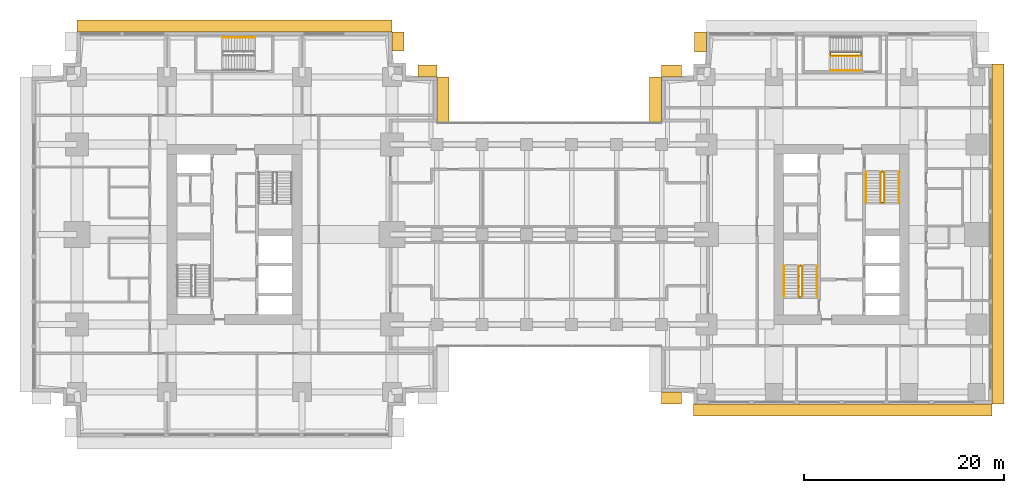
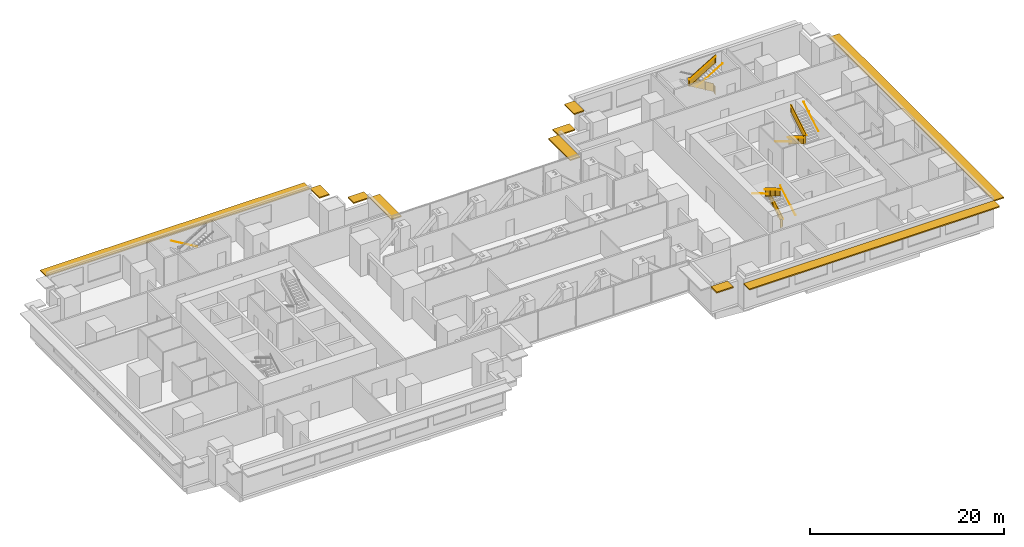
# One storey, part 15 of 16: 14 railings, 10 shading devices.
"""IFC4 building model written with IfcOpenShell, lengths in metres."""

import ifcopenshell
import ifcopenshell.guid

model = None  # the IFC model being written
_history = None  # IfcOwnerHistory: only IFC2X3 demands one
_inside = {}  # id of a spatial element -> (the spatial element, [elements in it])
_under = {}  # id of a project, library or spatial element -> (it, [spatial elements below it])
_declared = {}  # id of a project -> (the project, [libraries it declares])
_typed = {}  # id of a type object -> (the type object, [elements of that type])
_made_of = {}  # id of a material, layer set ... -> (it, [elements and type objects made of it])


def new_model(schema):
    """Start an empty IFC model of exactly this schema.

    Asked for "IFC4X3", IfcOpenShell would pick the latest addendum, in which some entities
    have other attributes; the version numbers below select the first issue.
    IFC2X3 requires an IfcOwnerHistory on every rooted entity: one is made here for all.
    """
    global model, _history
    if schema == "IFC4X3":
        model = ifcopenshell.file(schema_version=(4, 3, 0, 0))
    else:
        model = ifcopenshell.file(schema=schema)
    _inside.clear()
    _under.clear()
    _declared.clear()
    _typed.clear()
    _made_of.clear()
    _history = None
    if model.schema == "IFC2X3":
        org = make("IfcOrganization", Name="unknown")
        user = make(
            "IfcPersonAndOrganization",
            ThePerson=make("IfcPerson", FamilyName="unknown"),
            TheOrganization=org,
        )
        app = make(
            "IfcApplication",
            ApplicationDeveloper=org,
            Version="unknown",
            ApplicationFullName="unknown",
            ApplicationIdentifier="unknown",
        )
        _history = make(
            "IfcOwnerHistory",
            OwningUser=user,
            OwningApplication=app,
            ChangeAction="ADDED",
            CreationDate=0,
        )
    return model


def make(cls, **values):
    """One entity of the class cls with the attributes given. An attribute that is None is left unset."""
    return model.create_entity(
        cls, **{name: value for name, value in values.items() if value is not None}
    )


def rooted(cls, **values):
    """An entity with a GlobalId (a new one), such as an element, a storey or a relation."""
    return make(cls, GlobalId=ifcopenshell.guid.new(), OwnerHistory=_history, **values)


def si_unit(unit_type, name, prefix=None):
    """IfcSIUnit, for example si_unit("LENGTHUNIT", "METRE", prefix="MILLI")."""
    return make("IfcSIUnit", UnitType=unit_type, Prefix=prefix, Name=name)


def assignment(units):
    """IfcUnitAssignment: the units of a project."""
    return None if units is None else make("IfcUnitAssignment", Units=units)


def point(xyz):
    """IfcCartesianPoint."""
    return None if xyz is None else make("IfcCartesianPoint", Coordinates=xyz)


def direction(xyz):
    """IfcDirection."""
    return None if xyz is None else make("IfcDirection", DirectionRatios=xyz)


def frame(location, z_axis=None, x_axis=None):
    """IfcAxis2Placement3D, a coordinate frame: its origin and axes. An axis left out is left unset."""
    return make(
        "IfcAxis2Placement3D",
        Location=point(location),
        Axis=direction(z_axis),
        RefDirection=direction(x_axis),
    )


def frame_2d(location, x_axis=None):
    """IfcAxis2Placement2D, a coordinate frame in the plane: its origin and x axis."""
    return make(
        "IfcAxis2Placement2D", Location=point(location), RefDirection=direction(x_axis)
    )


def origin():
    """The frame at (0, 0, 0) with its axes left unset."""
    return frame((0.0, 0.0, 0.0))


def origin_2d():
    """The frame at (0, 0) in the plane with its x axis left unset."""
    return frame_2d((0.0, 0.0))


def place(relative_to, where):
    """IfcLocalPlacement: puts the frame where relative to a parent placement (None: the world)."""
    return make(
        "IfcLocalPlacement", PlacementRelTo=relative_to, RelativePlacement=where
    )


def context(
    kind, dimensions, precision=None, world=None, true_north=None, identifier=None
):
    """IfcGeometricRepresentationContext, for example the 3D "Model" context."""
    return make(
        "IfcGeometricRepresentationContext",
        ContextIdentifier=identifier,
        ContextType=kind,
        CoordinateSpaceDimension=dimensions,
        Precision=precision,
        WorldCoordinateSystem=world,
        TrueNorth=true_north,
    )


def subcontext(parent, identifier, kind, view, scale=None):
    """IfcGeometricRepresentationSubContext, for example "Body" below "Model"."""
    return make(
        "IfcGeometricRepresentationSubContext",
        ContextIdentifier=identifier,
        ContextType=kind,
        ParentContext=parent,
        TargetScale=scale,
        TargetView=view,
    )


def project(units=None, contexts=None):
    """IfcProject with its units and contexts."""
    return rooted(
        "IfcProject",
        Name="project",
        RepresentationContexts=contexts,
        UnitsInContext=assignment(units),
    )


def spatial(cls, under=None, at=None, **own):
    """A site, building, storey or space (cls), placed at a placement, below another one or the project."""
    s = rooted(cls, ObjectPlacement=at, **own)
    if under is not None:
        _under.setdefault(under.id(), (under, []))[1].append(s)
    return s


def polyline(points):
    """IfcPolyline through the points."""
    return make("IfcPolyline", Points=[point(p) for p in points])


def profile(cls, at=None, kind="AREA", **sizes):
    """A parametric profile (cls). Its sizes go by their IFC names, for example OverallWidth=200.0."""
    return make(cls, ProfileType=kind, Position=at, **sizes)


def rectangle(**sizes):
    """IfcRectangleProfileDef."""
    return profile("IfcRectangleProfileDef", **sizes)


def circle(**sizes):
    """IfcCircleProfileDef."""
    return profile("IfcCircleProfileDef", **sizes)


def outline(outer, holes=None, kind="AREA"):
    """IfcArbitraryClosedProfileDef: a profile drawn as a closed curve; with holes, ...WithVoids."""
    if holes is None:
        return make("IfcArbitraryClosedProfileDef", ProfileType=kind, OuterCurve=outer)
    return make(
        "IfcArbitraryProfileDefWithVoids",
        ProfileType=kind,
        OuterCurve=outer,
        InnerCurves=holes,
    )


def extrude(swept, where, along, depth):
    """IfcExtrudedAreaSolid: the profile swept, set in the frame where, extruded along a direction by depth."""
    return make(
        "IfcExtrudedAreaSolid",
        SweptArea=swept,
        Position=where,
        ExtrudedDirection=direction(along),
        Depth=depth,
    )


def shape(context_of_items, identifier, shape_type, items):
    """IfcShapeRepresentation: the items that make up one representation, for example the "Body"."""
    return make(
        "IfcShapeRepresentation",
        ContextOfItems=context_of_items,
        RepresentationIdentifier=identifier,
        RepresentationType=shape_type,
        Items=items,
    )


def material(Name=None, Category=None):
    """IfcMaterial."""
    return make("IfcMaterial", Name=Name, Category=Category)


def layer(
    of_material, thickness, ventilated=None, Name=None, Category=None, Priority=None
):
    """IfcMaterialLayer: one layer of a wall or slab, of a material (None: an air gap)."""
    return make(
        "IfcMaterialLayer",
        Material=of_material,
        LayerThickness=thickness,
        IsVentilated=ventilated,
        Name=Name,
        Category=Category,
        Priority=Priority,
    )


def layer_set(layers, Name=None):
    """IfcMaterialLayerSet."""
    return make("IfcMaterialLayerSet", MaterialLayers=layers, LayerSetName=Name)


def made_of(thing, what):
    """Note that an element or type object is made of a material, layer set ...; save() writes the relation."""
    if what is not None:
        _made_of.setdefault(what.id(), (what, []))[1].append(thing)
    return thing


def type_object(cls, material=None, **own):
    """A type object (cls), such as IfcWallType, which elements share."""
    return made_of(rooted(cls, **own), material)


def element(
    cls,
    number,
    at=None,
    inside=None,
    cuts=None,
    type_object=None,
    material=None,
    context=None,
    identifier="Body",
    shape_type=None,
    held_by="IfcProductDefinitionShape",
    body=None,
    shapes=None,
    **own,
):
    """One element of the class cls, such as IfcWall. Its Tag is "e" and its number.

    at: its placement. inside: the storey or other place that contains it. cuts: it is an
    opening in that element (IfcRelVoidsElement). A single representation is given by context,
    identifier, shape_type and body (its items); several are given by shapes. held_by: the class
    of the entity that holds the representations. save() writes the other relations.
    """
    e = rooted(cls, Tag="e%d" % number, ObjectPlacement=at, **own)
    if body is not None:
        shapes = [shape(context, identifier, shape_type, body)]
    if shapes is not None:
        e.Representation = make(held_by, Representations=shapes)
    if inside is not None:
        _inside.setdefault(inside.id(), (inside, []))[1].append(e)
    if cuts is not None:
        rooted(
            "IfcRelVoidsElement", RelatingBuildingElement=cuts, RelatedOpeningElement=e
        )
    if type_object is not None:
        _typed.setdefault(type_object.id(), (type_object, []))[1].append(e)
    return made_of(e, material)


def aggregate(whole, parts):
    """IfcRelAggregates: a whole, such as a stair, and the parts it consists of."""
    return rooted("IfcRelAggregates", RelatingObject=whole, RelatedObjects=parts)


def save(model, path):
    """Write the relations noted so far, then the file.

    IfcRelAggregates (storeys below a building ...), IfcRelContainedInSpatialStructure (elements
    in a storey), IfcRelDefinesByType, IfcRelAssociatesMaterial and IfcRelDeclares: one each for
    every whole, place, type object, material and project.
    """
    for whole, parts in _under.values():
        aggregate(whole, parts)
    for where, things in _inside.values():
        rooted(
            "IfcRelContainedInSpatialStructure",
            RelatedElements=things,
            RelatingStructure=where,
        )
    for kind, things in _typed.values():
        rooted("IfcRelDefinesByType", RelatedObjects=things, RelatingType=kind)
    for what, things in _made_of.values():
        rooted("IfcRelAssociatesMaterial", RelatedObjects=things, RelatingMaterial=what)
    for by, libraries in _declared.values():
        rooted("IfcRelDeclares", RelatingContext=by, RelatedDefinitions=libraries)
    model.write(path)


model = new_model("IFC4")

# Units and contexts
model_context = context("Model", 3, precision=1e-05, world=origin(), true_north=direction((0.0, 1.0)))
body_context = subcontext(model_context, "Body", "Model", "MODEL_VIEW")
ifc_project = project(units=[si_unit("LENGTHUNIT", "METRE"), si_unit("AREAUNIT", "SQUARE_METRE"), si_unit("VOLUMEUNIT", "CUBIC_METRE"), si_unit("PLANEANGLEUNIT", "RADIAN"), si_unit("MASSUNIT", "GRAM", prefix="KILO")], contexts=[model_context])

# Site, building, storey
site_placement = place(None, origin())
site = spatial("IfcSite", under=ifc_project, at=site_placement, CompositionType="ELEMENT")
building_placement = place(site_placement, origin())
building = spatial("IfcBuilding", under=site, at=building_placement, Name="Namib Vertical Campus", CompositionType="ELEMENT")
storey_placement = place(building_placement, frame((0.0, 0.0, 113.0)))
storey = spatial("IfcBuildingStorey", under=building, at=storey_placement, Name="L26", CompositionType="ELEMENT", Elevation=113.0)

# Railings
ifc_material_1 = material(Name="Steel handrail", Category="steel")
railing_type_1 = type_object("IfcRailingType", Name="Handrail 900", PredefinedType="HANDRAIL", material=ifc_material_1)
railing_1_placement = place(storey_placement, frame((78.550048828125, 14.0, 0.166748046875)))
element("IfcRailing", 1, at=railing_1_placement, inside=storey, type_object=railing_type_1, Name="Handrail HR1 B-S1 L26 1", PredefinedType="HANDRAIL", context=body_context, shape_type="SweptSolid", body=[
    extrude(circle(Radius=0.02392578125, at=origin_2d()), frame((0.0, 0.0, 0.8759765625), z_axis=(0.0, 0.859308565015, 0.511457515432), x_axis=(-1.0, 0.0, 0.0)), (0.0, 0.0, 1.0), 3.58447265625),
    extrude(circle(Radius=0.008056640625, at=origin_2d()), frame((0.0, 0.0, 0.8759765625), z_axis=(1.0, 0.0, 0.0), x_axis=(0.0, 0.0, 1.0)), (0.0, 0.0, 1.0), 0.050048828125),
    extrude(circle(Radius=0.008056640625, at=origin_2d()), frame((0.0, 1.026611328125, 1.48681640625), z_axis=(1.0, 0.0, 0.0), x_axis=(0.0, 0.0, 1.0)), (0.0, 0.0, 1.0), 0.050048828125),
    extrude(circle(Radius=0.008056640625, at=origin_2d()), frame((0.0, 2.053466796875, 2.09814453125), z_axis=(1.0, 0.0, 0.0), x_axis=(0.0, 0.0, 1.0)), (0.0, 0.0, 1.0), 0.050048828125),
    extrude(circle(Radius=0.008056640625, at=origin_2d()), frame((0.0, 3.080078125, 2.708984375), z_axis=(1.0, 0.0, 0.0), x_axis=(0.0, 0.0, 1.0)), (0.0, 0.0, 1.0), 0.050048828125),
])
railing_2_placement = place(storey_placement, frame((75.25, 17.080078125, 2.166748046875)))
element("IfcRailing", 2, at=railing_2_placement, inside=storey, type_object=railing_type_1, Name="Handrail HR1 B-S1 L26 2", PredefinedType="HANDRAIL", context=body_context, shape_type="SweptSolid", body=[
    extrude(circle(Radius=0.02392578125, at=origin_2d()), frame((0.0, 0.0, 0.8759765625), z_axis=(0.0, -0.859308565015, 0.511457515432), x_axis=(1.0, 0.0, 0.0)), (0.0, 0.0, 1.0), 3.58447265625),
    extrude(circle(Radius=0.008056640625, at=origin_2d()), frame((0.0, 0.0, 0.8759765625), z_axis=(-1.0, 0.0, 0.0), x_axis=(0.0, 0.0, 1.0)), (0.0, 0.0, 1.0), 0.050048828125),
    extrude(circle(Radius=0.008056640625, at=origin_2d()), frame((0.0, -1.026611328125, 1.48681640625), z_axis=(-1.0, 0.0, 0.0), x_axis=(0.0, 0.0, 1.0)), (0.0, 0.0, 1.0), 0.050048828125),
    extrude(circle(Radius=0.008056640625, at=origin_2d()), frame((0.0, -2.053466796875, 2.09814453125), z_axis=(-1.0, 0.0, 0.0), x_axis=(0.0, 0.0, 1.0)), (0.0, 0.0, 1.0), 0.050048828125),
    extrude(circle(Radius=0.008056640625, at=origin_2d()), frame((0.0, -3.080078125, 2.708984375), z_axis=(-1.0, 0.0, 0.0), x_axis=(0.0, 0.0, 1.0)), (0.0, 0.0, 1.0), 0.050048828125),
])
railing_3_placement = place(storey_placement, frame((77.10009765625, 14.0, 0.166748046875)))
element("IfcRailing", 3, at=railing_3_placement, inside=storey, type_object=railing_type_1, Name="Handrail HR1 B-S1 L26 1 at the well", PredefinedType="HANDRAIL", context=body_context, shape_type="SweptSolid", body=[
    extrude(circle(Radius=0.02392578125, at=origin_2d()), frame((0.0, 0.0, 0.8759765625), z_axis=(0.0, 0.859308565015, 0.511457515432), x_axis=(-1.0, 0.0, 0.0)), (0.0, 0.0, 1.0), 3.58447265625),
    extrude(circle(Radius=0.008056640625, at=origin_2d()), frame((0.0, 0.0, 0.8759765625), z_axis=(-1.0, 0.0, 0.0), x_axis=(0.0, 0.0, 1.0)), (0.0, 0.0, 1.0), 0.0400390625),
    extrude(circle(Radius=0.008056640625, at=origin_2d()), frame((0.0, 1.026611328125, 1.48681640625), z_axis=(-1.0, 0.0, 0.0), x_axis=(0.0, 0.0, 1.0)), (0.0, 0.0, 1.0), 0.0400390625),
    extrude(circle(Radius=0.008056640625, at=origin_2d()), frame((0.0, 2.053466796875, 2.09814453125), z_axis=(-1.0, 0.0, 0.0), x_axis=(0.0, 0.0, 1.0)), (0.0, 0.0, 1.0), 0.0400390625),
    extrude(circle(Radius=0.008056640625, at=origin_2d()), frame((0.0, 3.080078125, 2.708984375), z_axis=(-1.0, 0.0, 0.0), x_axis=(0.0, 0.0, 1.0)), (0.0, 0.0, 1.0), 0.0400390625),
])
railing_4_placement = place(storey_placement, frame((76.699951171875, 17.080078125, 2.166748046875)))
element("IfcRailing", 4, at=railing_4_placement, inside=storey, type_object=railing_type_1, Name="Handrail HR1 B-S1 L26 2 at the well", PredefinedType="HANDRAIL", context=body_context, shape_type="SweptSolid", body=[
    extrude(circle(Radius=0.02392578125, at=origin_2d()), frame((0.0, 0.0, 0.8759765625), z_axis=(0.0, -0.859308565015, 0.511457515432), x_axis=(1.0, 0.0, 0.0)), (0.0, 0.0, 1.0), 3.58447265625),
    extrude(circle(Radius=0.008056640625, at=origin_2d()), frame((0.0, 0.0, 0.8759765625), z_axis=(1.0, 0.0, 0.0), x_axis=(0.0, 0.0, 1.0)), (0.0, 0.0, 1.0), 0.0400390625),
    extrude(circle(Radius=0.008056640625, at=origin_2d()), frame((0.0, -1.026611328125, 1.48681640625), z_axis=(1.0, 0.0, 0.0), x_axis=(0.0, 0.0, 1.0)), (0.0, 0.0, 1.0), 0.0400390625),
    extrude(circle(Radius=0.008056640625, at=origin_2d()), frame((0.0, -2.053466796875, 2.09814453125), z_axis=(1.0, 0.0, 0.0), x_axis=(0.0, 0.0, 1.0)), (0.0, 0.0, 1.0), 0.0400390625),
    extrude(circle(Radius=0.008056640625, at=origin_2d()), frame((0.0, -3.080078125, 2.708984375), z_axis=(1.0, 0.0, 0.0), x_axis=(0.0, 0.0, 1.0)), (0.0, 0.0, 1.0), 0.0400390625),
])
railing_5_placement = place(storey_placement, frame((83.449951171875, 26.5, 0.166748046875)))
element("IfcRailing", 5, at=railing_5_placement, inside=storey, type_object=railing_type_1, Name="Handrail HR1 B-S2 L26 1", PredefinedType="HANDRAIL", context=body_context, shape_type="SweptSolid", body=[
    extrude(circle(Radius=0.02392578125, at=origin_2d()), frame((0.0, 0.0, 0.8759765625), z_axis=(0.0, -0.859308565015, 0.511457515432), x_axis=(1.0, 0.0, 0.0)), (0.0, 0.0, 1.0), 3.58447265625),
    extrude(circle(Radius=0.008056640625, at=origin_2d()), frame((0.0, 0.0, 0.8759765625), z_axis=(-1.0, 0.0, 0.0), x_axis=(0.0, 0.0, 1.0)), (0.0, 0.0, 1.0), 0.050048828125),
    extrude(circle(Radius=0.008056640625, at=origin_2d()), frame((0.0, -1.026611328125, 1.48681640625), z_axis=(-1.0, 0.0, 0.0), x_axis=(0.0, 0.0, 1.0)), (0.0, 0.0, 1.0), 0.050048828125),
    extrude(circle(Radius=0.008056640625, at=origin_2d()), frame((0.0, -2.053466796875, 2.09814453125), z_axis=(-1.0, 0.0, 0.0), x_axis=(0.0, 0.0, 1.0)), (0.0, 0.0, 1.0), 0.050048828125),
    extrude(circle(Radius=0.008056640625, at=origin_2d()), frame((0.0, -3.080078125, 2.708984375), z_axis=(-1.0, 0.0, 0.0), x_axis=(0.0, 0.0, 1.0)), (0.0, 0.0, 1.0), 0.050048828125),
])
railing_6_placement = place(storey_placement, frame((86.75, 23.419921875, 2.166748046875)))
element("IfcRailing", 6, at=railing_6_placement, inside=storey, type_object=railing_type_1, Name="Handrail HR1 B-S2 L26 2", PredefinedType="HANDRAIL", context=body_context, shape_type="SweptSolid", body=[
    extrude(circle(Radius=0.02392578125, at=origin_2d()), frame((0.0, 0.0, 0.8759765625), z_axis=(0.0, 0.859308565015, 0.511457515432), x_axis=(-1.0, 0.0, 0.0)), (0.0, 0.0, 1.0), 3.58447265625),
    extrude(circle(Radius=0.008056640625, at=origin_2d()), frame((0.0, 0.0, 0.8759765625), z_axis=(1.0, 0.0, 0.0), x_axis=(0.0, 0.0, 1.0)), (0.0, 0.0, 1.0), 0.050048828125),
    extrude(circle(Radius=0.008056640625, at=origin_2d()), frame((0.0, 1.026611328125, 1.48681640625), z_axis=(1.0, 0.0, 0.0), x_axis=(0.0, 0.0, 1.0)), (0.0, 0.0, 1.0), 0.050048828125),
    extrude(circle(Radius=0.008056640625, at=origin_2d()), frame((0.0, 2.053466796875, 2.09814453125), z_axis=(1.0, 0.0, 0.0), x_axis=(0.0, 0.0, 1.0)), (0.0, 0.0, 1.0), 0.050048828125),
    extrude(circle(Radius=0.008056640625, at=origin_2d()), frame((0.0, 3.080078125, 2.708984375), z_axis=(1.0, 0.0, 0.0), x_axis=(0.0, 0.0, 1.0)), (0.0, 0.0, 1.0), 0.050048828125),
])
railing_7_placement = place(storey_placement, frame((84.89990234375, 26.5, 0.166748046875)))
element("IfcRailing", 7, at=railing_7_placement, inside=storey, type_object=railing_type_1, Name="Handrail HR1 B-S2 L26 1 at the well", PredefinedType="HANDRAIL", context=body_context, shape_type="SweptSolid", body=[
    extrude(circle(Radius=0.02392578125, at=origin_2d()), frame((0.0, 0.0, 0.8759765625), z_axis=(0.0, -0.859308565015, 0.511457515432), x_axis=(1.0, 0.0, 0.0)), (0.0, 0.0, 1.0), 3.58447265625),
    extrude(circle(Radius=0.008056640625, at=origin_2d()), frame((0.0, 0.0, 0.8759765625), z_axis=(1.0, 0.0, 0.0), x_axis=(0.0, 0.0, 1.0)), (0.0, 0.0, 1.0), 0.0400390625),
    extrude(circle(Radius=0.008056640625, at=origin_2d()), frame((0.0, -1.026611328125, 1.48681640625), z_axis=(1.0, 0.0, 0.0), x_axis=(0.0, 0.0, 1.0)), (0.0, 0.0, 1.0), 0.0400390625),
    extrude(circle(Radius=0.008056640625, at=origin_2d()), frame((0.0, -2.053466796875, 2.09814453125), z_axis=(1.0, 0.0, 0.0), x_axis=(0.0, 0.0, 1.0)), (0.0, 0.0, 1.0), 0.0400390625),
    extrude(circle(Radius=0.008056640625, at=origin_2d()), frame((0.0, -3.080078125, 2.708984375), z_axis=(1.0, 0.0, 0.0), x_axis=(0.0, 0.0, 1.0)), (0.0, 0.0, 1.0), 0.0400390625),
])
railing_8_placement = place(storey_placement, frame((85.300048828125, 23.419921875, 2.166748046875)))
element("IfcRailing", 8, at=railing_8_placement, inside=storey, type_object=railing_type_1, Name="Handrail HR1 B-S2 L26 2 at the well", PredefinedType="HANDRAIL", context=body_context, shape_type="SweptSolid", body=[
    extrude(circle(Radius=0.02392578125, at=origin_2d()), frame((0.0, 0.0, 0.8759765625), z_axis=(0.0, 0.859308565015, 0.511457515432), x_axis=(-1.0, 0.0, 0.0)), (0.0, 0.0, 1.0), 3.58447265625),
    extrude(circle(Radius=0.008056640625, at=origin_2d()), frame((0.0, 0.0, 0.8759765625), z_axis=(-1.0, 0.0, 0.0), x_axis=(0.0, 0.0, 1.0)), (0.0, 0.0, 1.0), 0.0400390625),
    extrude(circle(Radius=0.008056640625, at=origin_2d()), frame((0.0, 1.026611328125, 1.48681640625), z_axis=(-1.0, 0.0, 0.0), x_axis=(0.0, 0.0, 1.0)), (0.0, 0.0, 1.0), 0.0400390625),
    extrude(circle(Radius=0.008056640625, at=origin_2d()), frame((0.0, 2.053466796875, 2.09814453125), z_axis=(-1.0, 0.0, 0.0), x_axis=(0.0, 0.0, 1.0)), (0.0, 0.0, 1.0), 0.0400390625),
    extrude(circle(Radius=0.008056640625, at=origin_2d()), frame((0.0, 3.080078125, 2.708984375), z_axis=(-1.0, 0.0, 0.0), x_axis=(0.0, 0.0, 1.0)), (0.0, 0.0, 1.0), 0.0400390625),
])
railing_9_placement = place(storey_placement, frame((22.199951171875, 39.949951171875, 0.166748046875)))
element("IfcRailing", 9, at=railing_9_placement, inside=storey, type_object=railing_type_1, Name="Handrail HR1 A-S3 L26 1", PredefinedType="HANDRAIL", context=body_context, shape_type="SweptSolid", body=[
    extrude(circle(Radius=0.02392578125, at=origin_2d()), frame((0.0, 0.0, 0.8759765625), z_axis=(-0.859290745958, 0.0, 0.51148745235), x_axis=(0.0, -1.0, 0.0)), (0.0, 0.0, 1.0), 3.584228515625),
    extrude(circle(Radius=0.008056640625, at=origin_2d()), frame((0.0, 0.0, 0.8759765625), z_axis=(0.0, 1.0, 0.0), x_axis=(0.0, 0.0, 1.0)), (0.0, 0.0, 1.0), 0.050048828125),
    extrude(circle(Radius=0.008056640625, at=origin_2d()), frame((-1.026611328125, 0.0, 1.48681640625), z_axis=(0.0, 1.0, 0.0), x_axis=(0.0, 0.0, 1.0)), (0.0, 0.0, 1.0), 0.050048828125),
    extrude(circle(Radius=0.008056640625, at=origin_2d()), frame((-2.05322265625, 0.0, 2.09814453125), z_axis=(0.0, 1.0, 0.0), x_axis=(0.0, 0.0, 1.0)), (0.0, 0.0, 1.0), 0.050048828125),
    extrude(circle(Radius=0.008056640625, at=origin_2d()), frame((-3.079833984375, 0.0, 2.708984375), z_axis=(0.0, 1.0, 0.0), x_axis=(0.0, 0.0, 1.0)), (0.0, 0.0, 1.0), 0.050048828125),
])
railing_10_placement = place(storey_placement, frame((79.8701171875, 36.64990234375, 2.166748046875)))
element("IfcRailing", 10, at=railing_10_placement, inside=storey, type_object=railing_type_1, Name="Handrail HR1 B-S3 L26 2", PredefinedType="HANDRAIL", context=body_context, shape_type="SweptSolid", body=[
    extrude(circle(Radius=0.02392578125, at=origin_2d()), frame((0.0, 0.0, 0.8759765625), z_axis=(0.859290745958, 0.0, 0.51148745235), x_axis=(0.0, 1.0, 0.0)), (0.0, 0.0, 1.0), 3.584228515625),
    extrude(circle(Radius=0.008056640625, at=origin_2d()), frame((0.0, 0.0, 0.8759765625), z_axis=(0.0, -1.0, 0.0), x_axis=(0.0, 0.0, 1.0)), (0.0, 0.0, 1.0), 0.050048828125),
    extrude(circle(Radius=0.008056640625, at=origin_2d()), frame((1.026611328125, 0.0, 1.48681640625), z_axis=(0.0, -1.0, 0.0), x_axis=(0.0, 0.0, 1.0)), (0.0, 0.0, 1.0), 0.050048828125),
    extrude(circle(Radius=0.008056640625, at=origin_2d()), frame((2.05322265625, 0.0, 2.09814453125), z_axis=(0.0, -1.0, 0.0), x_axis=(0.0, 0.0, 1.0)), (0.0, 0.0, 1.0), 0.050048828125),
    extrude(circle(Radius=0.008056640625, at=origin_2d()), frame((3.079833984375, 0.0, 2.708984375), z_axis=(0.0, -1.0, 0.0), x_axis=(0.0, 0.0, 1.0)), (0.0, 0.0, 1.0), 0.050048828125),
])
railing_11_placement = place(storey_placement, frame((79.8701171875, 38.10009765625, 2.166748046875)))
element("IfcRailing", 11, at=railing_11_placement, inside=storey, type_object=railing_type_1, Name="Handrail HR1 B-S3 L26 2 at the well", PredefinedType="HANDRAIL", context=body_context, shape_type="SweptSolid", body=[
    extrude(circle(Radius=0.02392578125, at=origin_2d()), frame((0.0, 0.0, 0.8759765625), z_axis=(0.859290745958, 0.0, 0.51148745235), x_axis=(0.0, 1.0, 0.0)), (0.0, 0.0, 1.0), 3.584228515625),
    extrude(circle(Radius=0.008056640625, at=origin_2d()), frame((0.0, 0.0, 0.8759765625), z_axis=(0.0, 1.0, 0.0), x_axis=(0.0, 0.0, 1.0)), (0.0, 0.0, 1.0), 0.0400390625),
    extrude(circle(Radius=0.008056640625, at=origin_2d()), frame((1.026611328125, 0.0, 1.48681640625), z_axis=(0.0, 1.0, 0.0), x_axis=(0.0, 0.0, 1.0)), (0.0, 0.0, 1.0), 0.0400390625),
    extrude(circle(Radius=0.008056640625, at=origin_2d()), frame((2.05322265625, 0.0, 2.09814453125), z_axis=(0.0, 1.0, 0.0), x_axis=(0.0, 0.0, 1.0)), (0.0, 0.0, 1.0), 0.0400390625),
    extrude(circle(Radius=0.008056640625, at=origin_2d()), frame((3.079833984375, 0.0, 2.708984375), z_axis=(0.0, 1.0, 0.0), x_axis=(0.0, 0.0, 1.0)), (0.0, 0.0, 1.0), 0.0400390625),
])
ifc_material_2 = material(Name="Steel balustrade", Category="steel")
railing_type_2 = type_object("IfcRailingType", Name="Stair guard 1100", PredefinedType="GUARDRAIL", material=ifc_material_2)
railing_12_placement = place(storey_placement, frame((76.75, 14.0, 0.0)))
element("IfcRailing", 12, at=railing_12_placement, inside=storey, type_object=railing_type_2, Name="Stair guard GR1 B-S1 L26", PredefinedType="GUARDRAIL", context=body_context, shape_type="SweptSolid", body=[
    extrude(circle(Radius=0.02392578125, at=origin_2d()), frame((0.0, 0.0, 1.076171875), z_axis=(1.0, 0.0, 0.0), x_axis=(0.0, 1.0, 0.0)), (0.0, 0.0, 1.0), 0.300048828125),
    extrude(outline(polyline([(0.02099609375, 0.050048828125), (0.279052734375, 0.050048828125), (0.279052734375, 1.052001953125), (0.02099609375, 1.052001953125), (0.02099609375, 0.050048828125)])), frame((0.0, 0.010009765625, 0.0), z_axis=(0.0, -1.0, 0.0), x_axis=(1.0, 0.0, 0.0)), (0.0, 0.0, 1.0), 0.02001953125),
    extrude(circle(Radius=0.02392578125, at=origin_2d()), frame((0.300048828125, 0.0, 1.076171875), z_axis=(0.0, 0.0, 1.0), x_axis=(1.0, 0.0, 0.0)), (0.0, 0.0, 1.0), 0.166748046875),
    extrude(circle(Radius=0.02392578125, at=origin_2d()), frame((0.300048828125, 0.0, 1.24267578125), z_axis=(0.0, 0.859308565015, 0.511457515432), x_axis=(-1.0, 0.0, 0.0)), (0.0, 0.0, 1.0), 3.58447265625),
    extrude(outline(polyline([(0.02099609375, 0.0625), (3.05908203125, 1.870849609375), (3.05908203125, 2.872802734375), (0.02099609375, 1.064453125), (0.02099609375, 0.0625)])), frame((0.2900390625, 0.0, 0.166748046875), z_axis=(1.0, 0.0, 0.0), x_axis=(0.0, 1.0, 0.0)), (0.0, 0.0, 1.0), 0.02001953125),
    extrude(circle(Radius=0.02392578125, at=origin_2d()), frame((0.300048828125, 3.080078125, 3.076171875), z_axis=(-1.0, 0.0, 0.0), x_axis=(0.0, -1.0, 0.0)), (0.0, 0.0, 1.0), 0.300048828125),
    extrude(outline(polyline([(0.02099609375, 0.050048828125), (0.279052734375, 0.050048828125), (0.279052734375, 1.052001953125), (0.02099609375, 1.052001953125), (0.02099609375, 0.050048828125)])), frame((0.300048828125, 3.070068359375, 2.0), z_axis=(0.0, 1.0, 0.0), x_axis=(-1.0, 0.0, 0.0)), (0.0, 0.0, 1.0), 0.02001953125),
    extrude(circle(Radius=0.02392578125, at=origin_2d()), frame((0.0, 3.080078125, 3.076171875), z_axis=(0.0, 0.0, 1.0), x_axis=(1.0, 0.0, 0.0)), (0.0, 0.0, 1.0), 0.166748046875),
    extrude(circle(Radius=0.02392578125, at=origin_2d()), frame((0.0, 3.080078125, 3.24267578125), z_axis=(0.0, -0.859308565015, 0.511457515432), x_axis=(1.0, 0.0, 0.0)), (0.0, 0.0, 1.0), 3.58447265625),
    extrude(outline(polyline([(0.02099609375, 0.0625), (3.05908203125, 1.870849609375), (3.05908203125, 2.872802734375), (0.02099609375, 1.064453125), (0.02099609375, 0.0625)])), frame((0.010009765625, 3.080078125, 2.166748046875), z_axis=(-1.0, 0.0, 0.0), x_axis=(0.0, -1.0, 0.0)), (0.0, 0.0, 1.0), 0.02001953125),
    extrude(circle(Radius=0.02392578125, at=origin_2d()), frame((0.0, 0.0, 5.076171875), z_axis=(0.0, -1.0, 0.0), x_axis=(1.0, 0.0, 0.0)), (0.0, 0.0, 1.0), 0.050048828125),
    extrude(outline(polyline([(0.02099609375, 0.050048828125), (0.029052734375, 0.050048828125), (0.029052734375, 1.052001953125), (0.02099609375, 1.052001953125), (0.02099609375, 0.050048828125)])), frame((0.010009765625, 0.0, 4.0), z_axis=(-1.0, 0.0, 0.0), x_axis=(0.0, -1.0, 0.0)), (0.0, 0.0, 1.0), 0.02001953125),
    extrude(circle(Radius=0.02099609375, at=origin_2d()), origin(), (0.0, 0.0, 1.0), 1.052001953125),
    extrude(circle(Radius=0.02099609375, at=origin_2d()), frame((0.300048828125, 0.0, 0.166748046875)), (0.0, 0.0, 1.0), 1.052001953125),
    extrude(circle(Radius=0.02099609375, at=origin_2d()), frame((0.300048828125, 1.026611328125, 0.666748046875)), (0.0, 0.0, 1.0), 1.1630859375),
    extrude(circle(Radius=0.02099609375, at=origin_2d()), frame((0.300048828125, 2.053466796875, 1.33349609375)), (0.0, 0.0, 1.0), 1.107421875),
    extrude(circle(Radius=0.02099609375, at=origin_2d()), frame((0.300048828125, 3.080078125, 2.0)), (0.0, 0.0, 1.0), 1.052001953125),
    extrude(circle(Radius=0.02099609375, at=origin_2d()), frame((0.0, 3.080078125, 2.166748046875)), (0.0, 0.0, 1.0), 1.052001953125),
    extrude(circle(Radius=0.02099609375, at=origin_2d()), frame((0.0, 2.053466796875, 2.666748046875)), (0.0, 0.0, 1.0), 1.1630859375),
    extrude(circle(Radius=0.02099609375, at=origin_2d()), frame((0.0, 1.026611328125, 3.33349609375)), (0.0, 0.0, 1.0), 1.107421875),
    extrude(circle(Radius=0.02099609375, at=origin_2d()), frame((0.0, 0.0, 4.0)), (0.0, 0.0, 1.0), 1.052001953125),
    extrude(circle(Radius=0.02099609375, at=origin_2d()), frame((0.0, -0.050048828125, 4.0)), (0.0, 0.0, 1.0), 1.052001953125),
])
railing_13_placement = place(storey_placement, frame((85.25, 26.5, 0.0)))
element("IfcRailing", 13, at=railing_13_placement, inside=storey, type_object=railing_type_2, Name="Stair guard GR1 B-S2 L26", PredefinedType="GUARDRAIL", context=body_context, shape_type="SweptSolid", body=[
    extrude(circle(Radius=0.02392578125, at=origin_2d()), frame((0.0, 0.0, 1.076171875), z_axis=(-1.0, 0.0, 0.0), x_axis=(0.0, -1.0, 0.0)), (0.0, 0.0, 1.0), 0.300048828125),
    extrude(outline(polyline([(0.02099609375, 0.050048828125), (0.279052734375, 0.050048828125), (0.279052734375, 1.052001953125), (0.02099609375, 1.052001953125), (0.02099609375, 0.050048828125)])), frame((0.0, -0.010009765625, 0.0), z_axis=(0.0, 1.0, 0.0), x_axis=(-1.0, 0.0, 0.0)), (0.0, 0.0, 1.0), 0.02001953125),
    extrude(circle(Radius=0.02392578125, at=origin_2d()), frame((-0.300048828125, 0.0, 1.076171875), z_axis=(0.0, 0.0, 1.0), x_axis=(1.0, 0.0, 0.0)), (0.0, 0.0, 1.0), 0.166748046875),
    extrude(circle(Radius=0.02392578125, at=origin_2d()), frame((-0.300048828125, 0.0, 1.24267578125), z_axis=(0.0, -0.859308565015, 0.511457515432), x_axis=(1.0, 0.0, 0.0)), (0.0, 0.0, 1.0), 3.58447265625),
    extrude(outline(polyline([(0.02099609375, 0.0625), (3.05908203125, 1.870849609375), (3.05908203125, 2.872802734375), (0.02099609375, 1.064453125), (0.02099609375, 0.0625)])), frame((-0.2900390625, 0.0, 0.166748046875), z_axis=(-1.0, 0.0, 0.0), x_axis=(0.0, -1.0, 0.0)), (0.0, 0.0, 1.0), 0.02001953125),
    extrude(circle(Radius=0.02392578125, at=origin_2d()), frame((-0.300048828125, -3.080078125, 3.076171875), z_axis=(1.0, 0.0, 0.0), x_axis=(0.0, 1.0, 0.0)), (0.0, 0.0, 1.0), 0.300048828125),
    extrude(outline(polyline([(0.02099609375, 0.050048828125), (0.279052734375, 0.050048828125), (0.279052734375, 1.052001953125), (0.02099609375, 1.052001953125), (0.02099609375, 0.050048828125)])), frame((-0.300048828125, -3.070068359375, 2.0), z_axis=(0.0, -1.0, 0.0), x_axis=(1.0, 0.0, 0.0)), (0.0, 0.0, 1.0), 0.02001953125),
    extrude(circle(Radius=0.02392578125, at=origin_2d()), frame((0.0, -3.080078125, 3.076171875), z_axis=(0.0, 0.0, 1.0), x_axis=(1.0, 0.0, 0.0)), (0.0, 0.0, 1.0), 0.166748046875),
    extrude(circle(Radius=0.02392578125, at=origin_2d()), frame((0.0, -3.080078125, 3.24267578125), z_axis=(0.0, 0.859308565015, 0.511457515432), x_axis=(-1.0, 0.0, 0.0)), (0.0, 0.0, 1.0), 3.58447265625),
    extrude(outline(polyline([(0.02099609375, 0.0625), (3.05908203125, 1.870849609375), (3.05908203125, 2.872802734375), (0.02099609375, 1.064453125), (0.02099609375, 0.0625)])), frame((-0.010009765625, -3.080078125, 2.166748046875), z_axis=(1.0, 0.0, 0.0), x_axis=(0.0, 1.0, 0.0)), (0.0, 0.0, 1.0), 0.02001953125),
    extrude(circle(Radius=0.02392578125, at=origin_2d()), frame((0.0, 0.0, 5.076171875), z_axis=(0.0, 1.0, 0.0), x_axis=(-1.0, 0.0, 0.0)), (0.0, 0.0, 1.0), 0.050048828125),
    extrude(outline(polyline([(0.02099609375, 0.050048828125), (0.029052734375, 0.050048828125), (0.029052734375, 1.052001953125), (0.02099609375, 1.052001953125), (0.02099609375, 0.050048828125)])), frame((-0.010009765625, 0.0, 4.0), z_axis=(1.0, 0.0, 0.0), x_axis=(0.0, 1.0, 0.0)), (0.0, 0.0, 1.0), 0.02001953125),
    extrude(circle(Radius=0.02099609375, at=origin_2d()), origin(), (0.0, 0.0, 1.0), 1.052001953125),
    extrude(circle(Radius=0.02099609375, at=origin_2d()), frame((-0.300048828125, 0.0, 0.166748046875)), (0.0, 0.0, 1.0), 1.052001953125),
    extrude(circle(Radius=0.02099609375, at=origin_2d()), frame((-0.300048828125, -1.026611328125, 0.666748046875)), (0.0, 0.0, 1.0), 1.1630859375),
    extrude(circle(Radius=0.02099609375, at=origin_2d()), frame((-0.300048828125, -2.053466796875, 1.33349609375)), (0.0, 0.0, 1.0), 1.107421875),
    extrude(circle(Radius=0.02099609375, at=origin_2d()), frame((-0.300048828125, -3.080078125, 2.0)), (0.0, 0.0, 1.0), 1.052001953125),
    extrude(circle(Radius=0.02099609375, at=origin_2d()), frame((0.0, -3.080078125, 2.166748046875)), (0.0, 0.0, 1.0), 1.052001953125),
    extrude(circle(Radius=0.02099609375, at=origin_2d()), frame((0.0, -2.053466796875, 2.666748046875)), (0.0, 0.0, 1.0), 1.1630859375),
    extrude(circle(Radius=0.02099609375, at=origin_2d()), frame((0.0, -1.026611328125, 3.33349609375)), (0.0, 0.0, 1.0), 1.107421875),
    extrude(circle(Radius=0.02099609375, at=origin_2d()), frame((0.0, 0.0, 4.0)), (0.0, 0.0, 1.0), 1.052001953125),
    extrude(circle(Radius=0.02099609375, at=origin_2d()), frame((0.0, 0.050048828125, 4.0)), (0.0, 0.0, 1.0), 1.052001953125),
])
railing_14_placement = place(storey_placement, frame((82.949951171875, 38.14990234375, 0.0)))
element("IfcRailing", 14, at=railing_14_placement, inside=storey, type_object=railing_type_2, Name="Stair guard GR1 B-S3 L26", PredefinedType="GUARDRAIL", context=body_context, shape_type="SweptSolid", body=[
    extrude(circle(Radius=0.02392578125, at=origin_2d()), frame((0.0, 0.0, 1.076171875), z_axis=(0.0, 1.0, 0.0), x_axis=(-1.0, 0.0, 0.0)), (0.0, 0.0, 1.0), 0.300048828125),
    extrude(outline(polyline([(0.02099609375, 0.050048828125), (0.279052734375, 0.050048828125), (0.279052734375, 1.052001953125), (0.02099609375, 1.052001953125), (0.02099609375, 0.050048828125)])), frame((-0.010009765625, 0.0, 0.0), z_axis=(1.0, 0.0, 0.0), x_axis=(0.0, 1.0, 0.0)), (0.0, 0.0, 1.0), 0.02001953125),
    extrude(circle(Radius=0.02392578125, at=origin_2d()), frame((0.0, 0.300048828125, 1.076171875), z_axis=(0.0, 0.0, 1.0), x_axis=(1.0, 0.0, 0.0)), (0.0, 0.0, 1.0), 0.166748046875),
    extrude(circle(Radius=0.02392578125, at=origin_2d()), frame((0.0, 0.300048828125, 1.24267578125), z_axis=(-0.859290745958, 0.0, 0.51148745235), x_axis=(0.0, -1.0, 0.0)), (0.0, 0.0, 1.0), 3.584228515625),
    extrude(outline(polyline([(0.02099609375, 0.0625), (3.058837890625, 1.870849609375), (3.058837890625, 2.872802734375), (0.02099609375, 1.064453125), (0.02099609375, 0.0625)])), frame((0.0, 0.2900390625, 0.166748046875), z_axis=(0.0, 1.0, 0.0), x_axis=(-1.0, 0.0, 0.0)), (0.0, 0.0, 1.0), 0.02001953125),
    extrude(circle(Radius=0.02392578125, at=origin_2d()), frame((-3.079833984375, 0.300048828125, 3.076171875), z_axis=(0.0, -1.0, 0.0), x_axis=(1.0, 0.0, 0.0)), (0.0, 0.0, 1.0), 0.300048828125),
    extrude(outline(polyline([(0.02099609375, 0.050048828125), (0.279052734375, 0.050048828125), (0.279052734375, 1.052001953125), (0.02099609375, 1.052001953125), (0.02099609375, 0.050048828125)])), frame((-3.06982421875, 0.300048828125, 2.0), z_axis=(-1.0, 0.0, 0.0), x_axis=(0.0, -1.0, 0.0)), (0.0, 0.0, 1.0), 0.02001953125),
    extrude(circle(Radius=0.02392578125, at=origin_2d()), frame((-3.079833984375, 0.0, 3.076171875), z_axis=(0.0, 0.0, 1.0), x_axis=(1.0, 0.0, 0.0)), (0.0, 0.0, 1.0), 0.166748046875),
    extrude(circle(Radius=0.02392578125, at=origin_2d()), frame((-3.079833984375, 0.0, 3.24267578125), z_axis=(0.859290745958, 0.0, 0.51148745235), x_axis=(0.0, 1.0, 0.0)), (0.0, 0.0, 1.0), 3.584228515625),
    extrude(outline(polyline([(0.02099609375, 0.0625), (3.058837890625, 1.870849609375), (3.058837890625, 2.872802734375), (0.02099609375, 1.064453125), (0.02099609375, 0.0625)])), frame((-3.079833984375, 0.010009765625, 2.166748046875), z_axis=(0.0, -1.0, 0.0), x_axis=(1.0, 0.0, 0.0)), (0.0, 0.0, 1.0), 0.02001953125),
    extrude(circle(Radius=0.02392578125, at=origin_2d()), frame((0.0, 0.0, 5.076171875), z_axis=(1.0, 0.0, 0.0), x_axis=(0.0, 1.0, 0.0)), (0.0, 0.0, 1.0), 0.050048828125),
    extrude(outline(polyline([(0.02099609375, 0.050048828125), (0.029052734375, 0.050048828125), (0.029052734375, 1.052001953125), (0.02099609375, 1.052001953125), (0.02099609375, 0.050048828125)])), frame((0.0, 0.010009765625, 4.0), z_axis=(0.0, -1.0, 0.0), x_axis=(1.0, 0.0, 0.0)), (0.0, 0.0, 1.0), 0.02001953125),
    extrude(circle(Radius=0.02099609375, at=origin_2d()), origin(), (0.0, 0.0, 1.0), 1.052001953125),
    extrude(circle(Radius=0.02099609375, at=origin_2d()), frame((0.0, 0.300048828125, 0.166748046875)), (0.0, 0.0, 1.0), 1.052001953125),
    extrude(circle(Radius=0.02099609375, at=origin_2d()), frame((-1.026611328125, 0.300048828125, 0.666748046875)), (0.0, 0.0, 1.0), 1.1630859375),
    extrude(circle(Radius=0.02099609375, at=origin_2d()), frame((-2.05322265625, 0.300048828125, 1.33349609375)), (0.0, 0.0, 1.0), 1.107421875),
    extrude(circle(Radius=0.02099609375, at=origin_2d()), frame((-3.079833984375, 0.300048828125, 2.0)), (0.0, 0.0, 1.0), 1.052001953125),
    extrude(circle(Radius=0.02099609375, at=origin_2d()), frame((-3.079833984375, 0.0, 2.166748046875)), (0.0, 0.0, 1.0), 1.052001953125),
    extrude(circle(Radius=0.02099609375, at=origin_2d()), frame((-2.05322265625, 0.0, 2.666748046875)), (0.0, 0.0, 1.0), 1.1630859375),
    extrude(circle(Radius=0.02099609375, at=origin_2d()), frame((-1.026611328125, 0.0, 3.33349609375)), (0.0, 0.0, 1.0), 1.107421875),
    extrude(circle(Radius=0.02099609375, at=origin_2d()), frame((0.0, 0.0, 4.0)), (0.0, 0.0, 1.0), 1.052001953125),
    extrude(circle(Radius=0.02099609375, at=origin_2d()), frame((0.050048828125, 0.0, 4.0)), (0.0, 0.0, 1.0), 1.052001953125),
])

# Shading devices
ifc_material_3 = material(Name="Concrete C40/50 precast", Category="concrete")
ifc_layer = layer(ifc_material_3, 0.14990234375)
ifc_layer_set = layer_set([ifc_layer], Name="Concrete C40/50 precast")
shading_device_type = type_object("IfcShadingDeviceType", Name="Sunshade hood 1200", PredefinedType="SHUTTER", material=ifc_layer_set)
shading_device_1_placement = place(storey_placement, frame((41.10009765625, 33.75, 3.10009765625), z_axis=(0.0, 0.0, 1.0), x_axis=(0.0, 1.0, 0.0)))
element("IfcShadingDevice", 15, at=shading_device_1_placement, inside=storey, type_object=shading_device_type, Name="Sunshade SH2 L26 11", PredefinedType="SHUTTER", context=body_context, shape_type="SweptSolid", body=[
    extrude(rectangle(XDim=4.5, YDim=1.199951171875, at=origin_2d()), origin(), (0.0, 0.0, 1.0), 0.14990234375),
])
for number, where, z_axis, x_axis, name in (
    (16, (39.550048828125, 36.60009765625, 3.10009765625), (0.0, 0.0, 1.0), (-1.0, 0.0, 0.0), "Sunshade SH2 L26 12"),
    (17, (36.60009765625, 39.550048828125, 3.10009765625), (0.0, 0.0, 1.0), (0.0, 1.0, 0.0), "Sunshade SH2 L26 15"),
):
    element("IfcShadingDevice", number, at=place(storey_placement, frame(where, z_axis=z_axis, x_axis=x_axis)), inside=storey, type_object=shading_device_type, Name=name, PredefinedType="SHUTTER", context=body_context, shape_type="SweptSolid", body=[
        extrude(rectangle(XDim=1.89990234375, YDim=1.199951171875, at=origin_2d()), origin(), (0.0, 0.0, 1.0), 0.14990234375),
    ])
shading_device_2_placement = place(storey_placement, frame((20.25, 41.10009765625, 3.10009765625), z_axis=(0.0, 0.0, 1.0), x_axis=(-1.0, 0.0, 0.0)))
element("IfcShadingDevice", 18, at=shading_device_2_placement, inside=storey, type_object=shading_device_type, Name="Sunshade SH2 L26 16", PredefinedType="SHUTTER", context=body_context, shape_type="SweptSolid", body=[
    extrude(rectangle(XDim=31.5, YDim=1.199951171875, at=origin_2d()), origin(), (0.0, 0.0, 1.0), 0.14990234375),
])
shading_device_3_placement = place(storey_placement, frame((64.0, 3.89990234375, 3.10009765625), z_axis=(0.0, 0.0, 1.0), x_axis=(1.0, 0.0, 0.0)))
element("IfcShadingDevice", 19, at=shading_device_3_placement, inside=storey, type_object=shading_device_type, Name="Sunshade SH2 L26 2", PredefinedType="SHUTTER", context=body_context, shape_type="SweptSolid", body=[
    extrude(rectangle(XDim=2.0, YDim=1.199951171875, at=origin_2d()), origin(), (0.0, 0.0, 1.0), 0.14990234375),
])
shading_device_4_placement = place(storey_placement, frame((81.125, 2.699951171875, 3.10009765625), z_axis=(0.0, 0.0, 1.0), x_axis=(1.0, 0.0, 0.0)))
element("IfcShadingDevice", 20, at=shading_device_4_placement, inside=storey, type_object=shading_device_type, Name="Sunshade SH2 L26 4", PredefinedType="SHUTTER", context=body_context, shape_type="SweptSolid", body=[
    extrude(rectangle(XDim=29.85009765625, YDim=1.199951171875, at=origin_2d()), origin(), (0.0, 0.0, 1.0), 0.14990234375),
])
shading_device_5_placement = place(storey_placement, frame((96.64990234375, 20.300048828125, 3.10009765625), z_axis=(0.0, 0.0, 1.0), x_axis=(0.0, 1.0, 0.0)))
element("IfcShadingDevice", 21, at=shading_device_5_placement, inside=storey, type_object=shading_device_type, Name="Sunshade SH2 L26 5", PredefinedType="SHUTTER", context=body_context, shape_type="SweptSolid", body=[
    extrude(rectangle(XDim=34.0, YDim=1.199951171875, at=origin_2d()), origin(), (0.0, 0.0, 1.0), 0.14990234375),
])
for number, where, z_axis, x_axis, name in (
    (22, (66.89990234375, 39.5, 3.10009765625), (0.0, 0.0, 1.0), (0.0, -1.0, 0.0), "Sunshade SH2 L26 9"),
    (23, (64.0, 36.60009765625, 3.10009765625), (0.0, 0.0, 1.0), (-1.0, 0.0, 0.0), "Sunshade SH2 L26 12"),
):
    element("IfcShadingDevice", number, at=place(storey_placement, frame(where, z_axis=z_axis, x_axis=x_axis)), inside=storey, type_object=shading_device_type, Name=name, PredefinedType="SHUTTER", context=body_context, shape_type="SweptSolid", body=[
        extrude(rectangle(XDim=2.0, YDim=1.199951171875, at=origin_2d()), origin(), (0.0, 0.0, 1.0), 0.14990234375),
    ])
shading_device_6_placement = place(storey_placement, frame((62.39990234375, 33.75, 3.10009765625), z_axis=(0.0, 0.0, 1.0), x_axis=(0.0, -1.0, 0.0)))
element("IfcShadingDevice", 24, at=shading_device_6_placement, inside=storey, type_object=shading_device_type, Name="Sunshade SH2 L26 13", PredefinedType="SHUTTER", context=body_context, shape_type="SweptSolid", body=[
    extrude(rectangle(XDim=4.5, YDim=1.199951171875, at=origin_2d()), origin(), (0.0, 0.0, 1.0), 0.14990234375),
])

save(model, "model.ifc")
